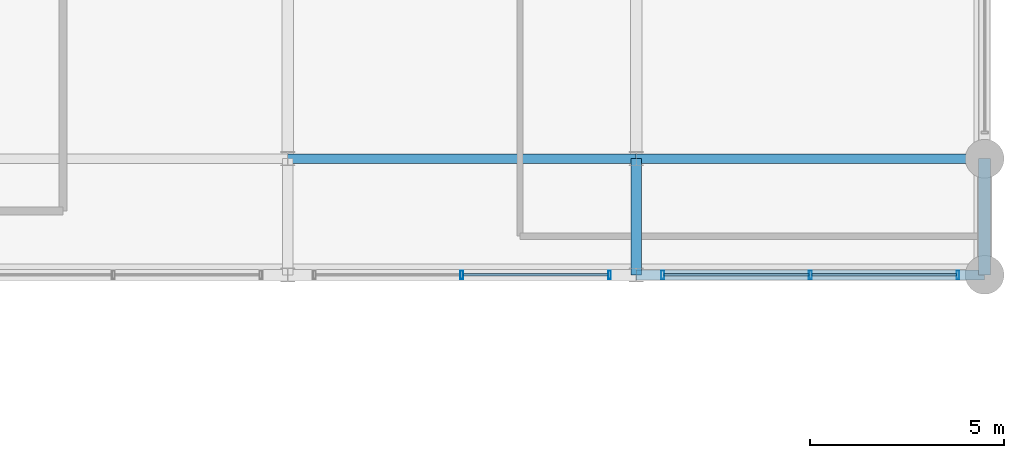
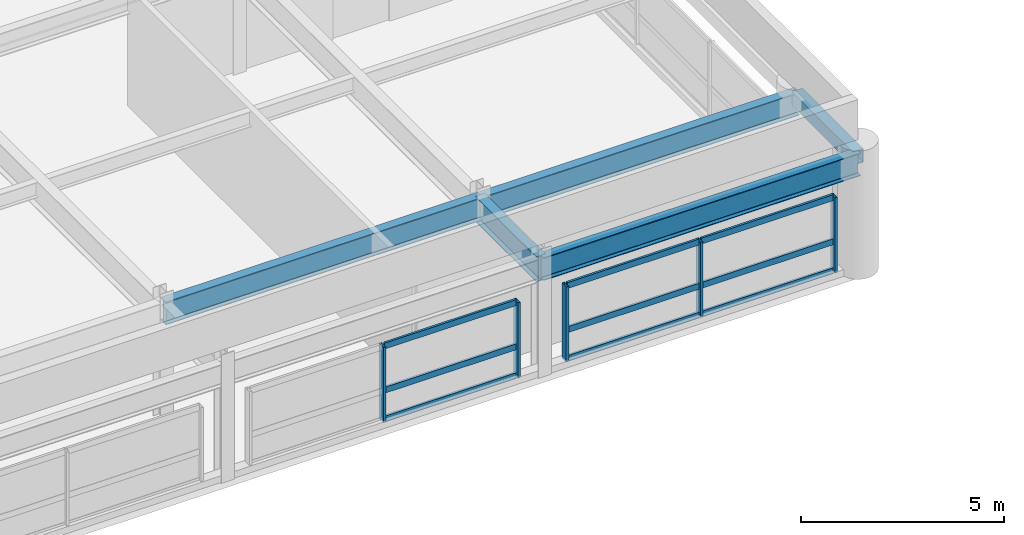
# One storey, part 73 of 108: 14 members, 5 beams, 2 elements without a shape of their own.
"""IFC4 building model written with IfcOpenShell, lengths in metres."""

from ifc_helpers import new_model, si_unit, direction, frame, origin, origin_2d, place, context, subcontext, project, spatial, hollow_rectangle, i_section, extrude, material, material_profile, profile_set, type_object, element, aggregate, save


model = new_model("IFC4")

# Units and contexts
model_context = context("Model", 3, precision=1e-05, world=origin(), true_north=direction((0.0, 1.0)))
body_context = subcontext(model_context, "Body", "Model", "MODEL_VIEW")
ifc_project = project(units=[si_unit("LENGTHUNIT", "METRE"), si_unit("AREAUNIT", "SQUARE_METRE"), si_unit("VOLUMEUNIT", "CUBIC_METRE"), si_unit("PLANEANGLEUNIT", "RADIAN"), si_unit("MASSUNIT", "GRAM", prefix="KILO")], contexts=[model_context])

# Site, building, storey
site_placement = place(None, origin())
site = spatial("IfcSite", under=ifc_project, at=site_placement, CompositionType="ELEMENT")
building_placement = place(site_placement, origin())
building = spatial("IfcBuilding", under=site, at=building_placement, Name="Kaldorvane Square Convention Centre", CompositionType="ELEMENT")
storey_placement = place(building_placement, frame((0.0, 0.0, 23.399993896484375)))
storey = spatial("IfcBuildingStorey", under=building, at=storey_placement, Name="L04", CompositionType="ELEMENT", Elevation=23.399993896484375)

# Beams
ifc_material_1 = material(Name="Steel ASTM A992 Gr. 50", Category="steel")
ifc_material_profile_1 = material_profile(ifc_material_1, i_section(OverallWidth=0.25439453125, OverallDepth=0.6880950927734375, WebThickness=0.0131072998046875, FlangeThickness=0.0211029052734375, FilletRadius=0.01519775390625, at=origin_2d()), Name="W27X102")
ifc_profile_set_1 = profile_set([ifc_material_profile_1], Name="Steel ASTM A992 Gr. 50")
beam_type_1 = type_object("IfcBeamType", Name="BM-GR-W27X102", PredefinedType="BEAM", material=ifc_profile_set_1)
for number, where, z_axis, x_axis, name in (
    (1, (165.0, 81.0, 3.1819000244140625), (1.0, 0.0, 0.0), (0.0, 1.0, 0.0), "Primary Girder (L04)"),
    (2, (156.0, 84.0, 3.1819000244140625), (1.0, 0.0, 0.0), (0.0, 1.0, 0.0), "Primary Girder (L04)"),
    (3, (165.0, 84.0, 3.1819000244140625), (1.0, 0.0, 0.0), (0.0, 1.0, 0.0), "Primary Girder (L04)"),
):
    element("IfcBeam", number, at=place(storey_placement, frame(where, z_axis=z_axis, x_axis=x_axis)), inside=storey, type_object=beam_type_1, Name=name, PredefinedType="BEAM", context=body_context, shape_type="SweptSolid", body=[
        extrude(i_section(OverallWidth=0.25439453125, OverallDepth=0.6880950927734375, WebThickness=0.0131072998046875, FlangeThickness=0.0211029052734375, FilletRadius=0.01519775390625, at=origin_2d()), origin(), (0.0, 0.0, 1.0), 9.0),
    ])
ifc_material_profile_2 = material_profile(ifc_material_1, i_section(OverallWidth=0.2666015625, OverallDepth=0.762298583984375, WebThickness=0.014404296875, FlangeThickness=0.0216064453125, FilletRadius=0.0164947509765625, at=origin_2d()), Name="W30X116")
ifc_profile_set_2 = profile_set([ifc_material_profile_2], Name="Steel ASTM A992 Gr. 50")
beam_type_2 = type_object("IfcBeamType", Name="BM-GR-W30X116", PredefinedType="BEAM", material=ifc_profile_set_2)
beam_1_placement = place(storey_placement, frame((165.0, 81.0, 3.144805908203125), z_axis=(0.0, 1.0, 0.0), x_axis=(-1.0, 0.0, 0.0)))
element("IfcBeam", 4, at=beam_1_placement, inside=storey, type_object=beam_type_2, Name="Transverse Girder (L04)", PredefinedType="BEAM", context=body_context, shape_type="SweptSolid", body=[
    extrude(i_section(OverallWidth=0.2666015625, OverallDepth=0.762298583984375, WebThickness=0.014404296875, FlangeThickness=0.0216064453125, FilletRadius=0.0164947509765625, at=origin_2d()), origin(), (0.0, 0.0, 1.0), 3.0),
])
ifc_material_2 = material(Name="Steel ASTM A500 Gr. C", Category="steel")
ifc_material_profile_3 = material_profile(ifc_material_2, hollow_rectangle(XDim=0.3047943115234375, YDim=0.406402587890625, WallThickness=0.0117950439453125, at=origin_2d()), Name="HSS16X12X1/2")
ifc_profile_set_3 = profile_set([ifc_material_profile_3], Name="Steel ASTM A500 Gr. C")
beam_type_3 = type_object("IfcBeamType", Name="BM-SP-HSS16", PredefinedType="SPANDREL", material=ifc_profile_set_3)
beam_2_placement = place(storey_placement, frame((174.0, 81.0, 3.3227996826171875), z_axis=(0.0, 1.0, 0.0), x_axis=(-1.0, 0.0, 0.0)))
element("IfcBeam", 5, at=beam_2_placement, inside=storey, type_object=beam_type_3, Name="End Spandrel (L04)", PredefinedType="SPANDREL", context=body_context, shape_type="SweptSolid", body=[
    extrude(hollow_rectangle(XDim=0.3047943115234375, YDim=0.406402587890625, WallThickness=0.0117950439453125, at=origin_2d()), origin(), (0.0, 0.0, 1.0), 3.0),
])

# Curtain wall, members
ifc_material_3 = material(Name="Anodized Aluminum and Low-E Insulated Glazing", Category="aluminium")
curtain_wall_type = type_object("IfcCurtainWallType", Name="CW-PTS-FC-42", PredefinedType="USERDEFINED", material=ifc_material_3)
curtain_wall_1_placement = place(storey_placement, origin())
curtain_wall_1 = element("IfcCurtainWall", 6, at=curtain_wall_1_placement, inside=storey, type_object=curtain_wall_type, Name="Curtain Wall CW-09 (L04)", ObjectType="POINT SUPPORTED GLAZING", PredefinedType="USERDEFINED")
ifc_material_profile_4 = material_profile(ifc_material_3, hollow_rectangle(XDim=0.0749969482421875, YDim=0.220001220703125, WallThickness=0.003997802734375, at=origin_2d()), Name="CWM-220X75")
ifc_profile_set_4 = profile_set([ifc_material_profile_4], Name="Anodized Aluminum and Low-E Insulated Glazing")
member_type_1 = type_object("IfcMemberType", Name="CW-MUL-220", PredefinedType="MULLION", material=ifc_profile_set_4)
member_1_placement = place(storey_placement, frame((160.5, 81.0, 0.1500091552734375), z_axis=(0.0, 0.0, 1.0), x_axis=(1.0, 0.0, 0.0)))
member_1 = element("IfcMember", 7, at=member_1_placement, type_object=member_type_1, Name="CW-09 mullion 2", PredefinedType="MULLION", context=body_context, shape_type="SweptSolid", body=[
    extrude(hollow_rectangle(XDim=0.0749969482421875, YDim=0.220001220703125, WallThickness=0.003997802734375, at=origin_2d()), origin(), (0.0, 0.0, 1.0), 2.2599945068359375),
])
member_2_placement = place(storey_placement, frame((164.3125, 81.0, 0.1500091552734375), z_axis=(0.0, 0.0, 1.0), x_axis=(1.0, 0.0, 0.0)))
member_2 = element("IfcMember", 8, at=member_2_placement, type_object=member_type_1, Name="CW-09 mullion 3", PredefinedType="MULLION", context=body_context, shape_type="SweptSolid", body=[
    extrude(hollow_rectangle(XDim=0.0749969482421875, YDim=0.220001220703125, WallThickness=0.003997802734375, at=origin_2d()), origin(), (0.0, 0.0, 1.0), 2.2599945068359375),
])

curtain_wall_2_placement = place(storey_placement, origin())
curtain_wall_2 = element("IfcCurtainWall", 9, at=curtain_wall_2_placement, inside=storey, type_object=curtain_wall_type, Name="Curtain Wall CW-09 (L04)", ObjectType="POINT SUPPORTED GLAZING", PredefinedType="USERDEFINED")
member_3_placement = place(storey_placement, frame((165.6875, 81.0, 0.1500091552734375), z_axis=(0.0, 0.0, 1.0), x_axis=(1.0, 0.0, 0.0)))
member_3 = element("IfcMember", 10, at=member_3_placement, type_object=member_type_1, Name="CW-09 mullion 1", PredefinedType="MULLION", context=body_context, shape_type="SweptSolid", body=[
    extrude(hollow_rectangle(XDim=0.0749969482421875, YDim=0.220001220703125, WallThickness=0.003997802734375, at=origin_2d()), origin(), (0.0, 0.0, 1.0), 2.2599945068359375),
])
member_4_placement = place(storey_placement, frame((169.5, 81.0, 0.1500091552734375), z_axis=(0.0, 0.0, 1.0), x_axis=(1.0, 0.0, 0.0)))
member_4 = element("IfcMember", 11, at=member_4_placement, type_object=member_type_1, Name="CW-09 mullion 2", PredefinedType="MULLION", context=body_context, shape_type="SweptSolid", body=[
    extrude(hollow_rectangle(XDim=0.0749969482421875, YDim=0.220001220703125, WallThickness=0.003997802734375, at=origin_2d()), origin(), (0.0, 0.0, 1.0), 2.2599945068359375),
])
member_5_placement = place(storey_placement, frame((173.3125, 81.0, 0.1500091552734375), z_axis=(0.0, 0.0, 1.0), x_axis=(1.0, 0.0, 0.0)))
member_5 = element("IfcMember", 12, at=member_5_placement, type_object=member_type_1, Name="CW-09 mullion 3", PredefinedType="MULLION", context=body_context, shape_type="SweptSolid", body=[
    extrude(hollow_rectangle(XDim=0.0749969482421875, YDim=0.220001220703125, WallThickness=0.003997802734375, at=origin_2d()), origin(), (0.0, 0.0, 1.0), 2.2599945068359375),
])

# Member
ifc_material_profile_5 = material_profile(ifc_material_3, hollow_rectangle(XDim=0.06500244140625, YDim=0.17999267578125, WallThickness=0.0034942626953125, at=origin_2d()), Name="CWT-180X65")
ifc_profile_set_5 = profile_set([ifc_material_profile_5], Name="Anodized Aluminum and Low-E Insulated Glazing")
member_type_2 = type_object("IfcMemberType", Name="CW-TRN-180", PredefinedType="USERDEFINED", material=ifc_profile_set_5)
member_6_placement = place(storey_placement, frame((160.53750610351562, 81.0, 0.1825103759765625), z_axis=(1.0, 0.0, 0.0), x_axis=(0.0, 1.0, 0.0)))
member_6 = element("IfcMember", 13, at=member_6_placement, type_object=member_type_2, Name="CW-09 transom 2.1", ObjectType="TRANSOM", PredefinedType="USERDEFINED", context=body_context, shape_type="SweptSolid", body=[
    extrude(hollow_rectangle(XDim=0.06500244140625, YDim=0.17999267578125, WallThickness=0.0034942626953125, at=origin_2d()), origin(), (0.0, 0.0, 1.0), 3.73748779296875),
])

member_7_placement = place(storey_placement, frame((160.53750610351562, 81.0, 1.0500030517578125), z_axis=(1.0, 0.0, 0.0), x_axis=(0.0, 1.0, 0.0)))
member_7 = element("IfcMember", 14, at=member_7_placement, type_object=member_type_2, Name="CW-09 transom 2.2", ObjectType="TRANSOM", PredefinedType="USERDEFINED", context=body_context, shape_type="SweptSolid", body=[
    extrude(hollow_rectangle(XDim=0.06500244140625, YDim=0.17999267578125, WallThickness=0.0034942626953125, at=origin_2d()), origin(), (0.0, 0.0, 1.0), 3.73748779296875),
])

member_8_placement = place(storey_placement, frame((160.53750610351562, 81.0, 2.37750244140625), z_axis=(1.0, 0.0, 0.0), x_axis=(0.0, 1.0, 0.0)))
member_8 = element("IfcMember", 15, at=member_8_placement, type_object=member_type_2, Name="CW-09 transom 2.3", ObjectType="TRANSOM", PredefinedType="USERDEFINED", context=body_context, shape_type="SweptSolid", body=[
    extrude(hollow_rectangle(XDim=0.06500244140625, YDim=0.17999267578125, WallThickness=0.0034942626953125, at=origin_2d()), origin(), (0.0, 0.0, 1.0), 3.73748779296875),
])

aggregate(curtain_wall_1, [member_1, member_2, member_6, member_7, member_8])

member_9_placement = place(storey_placement, frame((165.72500610351562, 81.0, 0.1825103759765625), z_axis=(1.0, 0.0, 0.0), x_axis=(0.0, 1.0, 0.0)))
member_9 = element("IfcMember", 16, at=member_9_placement, type_object=member_type_2, Name="CW-09 transom 1.1", ObjectType="TRANSOM", PredefinedType="USERDEFINED", context=body_context, shape_type="SweptSolid", body=[
    extrude(hollow_rectangle(XDim=0.06500244140625, YDim=0.17999267578125, WallThickness=0.0034942626953125, at=origin_2d()), origin(), (0.0, 0.0, 1.0), 3.73748779296875),
])

member_10_placement = place(storey_placement, frame((165.72500610351562, 81.0, 1.0500030517578125), z_axis=(1.0, 0.0, 0.0), x_axis=(0.0, 1.0, 0.0)))
member_10 = element("IfcMember", 17, at=member_10_placement, type_object=member_type_2, Name="CW-09 transom 1.2", ObjectType="TRANSOM", PredefinedType="USERDEFINED", context=body_context, shape_type="SweptSolid", body=[
    extrude(hollow_rectangle(XDim=0.06500244140625, YDim=0.17999267578125, WallThickness=0.0034942626953125, at=origin_2d()), origin(), (0.0, 0.0, 1.0), 3.73748779296875),
])

member_11_placement = place(storey_placement, frame((165.72500610351562, 81.0, 2.37750244140625), z_axis=(1.0, 0.0, 0.0), x_axis=(0.0, 1.0, 0.0)))
member_11 = element("IfcMember", 18, at=member_11_placement, type_object=member_type_2, Name="CW-09 transom 1.3", ObjectType="TRANSOM", PredefinedType="USERDEFINED", context=body_context, shape_type="SweptSolid", body=[
    extrude(hollow_rectangle(XDim=0.06500244140625, YDim=0.17999267578125, WallThickness=0.0034942626953125, at=origin_2d()), origin(), (0.0, 0.0, 1.0), 3.73748779296875),
])

member_12_placement = place(storey_placement, frame((169.53750610351562, 81.0, 0.1825103759765625), z_axis=(1.0, 0.0, 0.0), x_axis=(0.0, 1.0, 0.0)))
member_12 = element("IfcMember", 19, at=member_12_placement, type_object=member_type_2, Name="CW-09 transom 2.1", ObjectType="TRANSOM", PredefinedType="USERDEFINED", context=body_context, shape_type="SweptSolid", body=[
    extrude(hollow_rectangle(XDim=0.06500244140625, YDim=0.17999267578125, WallThickness=0.0034942626953125, at=origin_2d()), origin(), (0.0, 0.0, 1.0), 3.73748779296875),
])

member_13_placement = place(storey_placement, frame((169.53750610351562, 81.0, 1.0500030517578125), z_axis=(1.0, 0.0, 0.0), x_axis=(0.0, 1.0, 0.0)))
member_13 = element("IfcMember", 20, at=member_13_placement, type_object=member_type_2, Name="CW-09 transom 2.2", ObjectType="TRANSOM", PredefinedType="USERDEFINED", context=body_context, shape_type="SweptSolid", body=[
    extrude(hollow_rectangle(XDim=0.06500244140625, YDim=0.17999267578125, WallThickness=0.0034942626953125, at=origin_2d()), origin(), (0.0, 0.0, 1.0), 3.73748779296875),
])

member_14_placement = place(storey_placement, frame((169.53750610351562, 81.0, 2.37750244140625), z_axis=(1.0, 0.0, 0.0), x_axis=(0.0, 1.0, 0.0)))
member_14 = element("IfcMember", 21, at=member_14_placement, type_object=member_type_2, Name="CW-09 transom 2.3", ObjectType="TRANSOM", PredefinedType="USERDEFINED", context=body_context, shape_type="SweptSolid", body=[
    extrude(hollow_rectangle(XDim=0.06500244140625, YDim=0.17999267578125, WallThickness=0.0034942626953125, at=origin_2d()), origin(), (0.0, 0.0, 1.0), 3.73748779296875),
])

aggregate(curtain_wall_2, [member_3, member_4, member_5, member_9, member_10, member_11, member_12, member_13, member_14])

save(model, "model.ifc")
